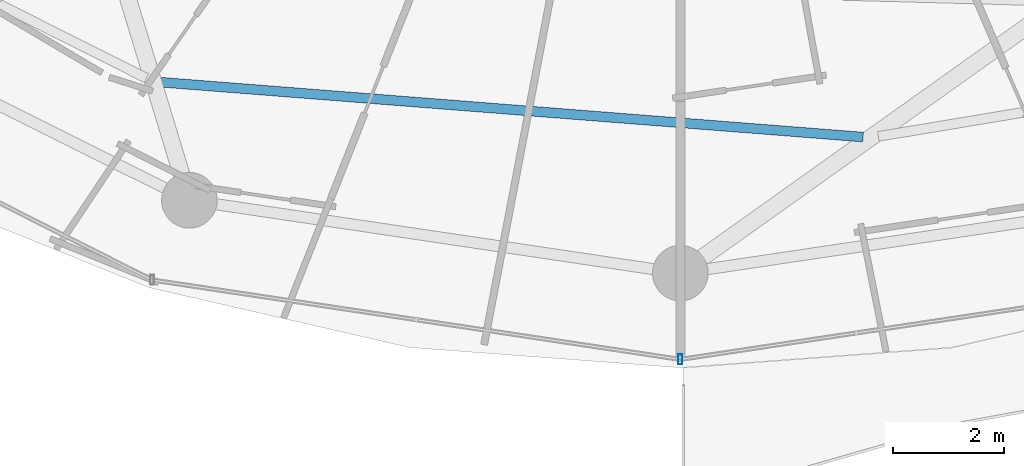
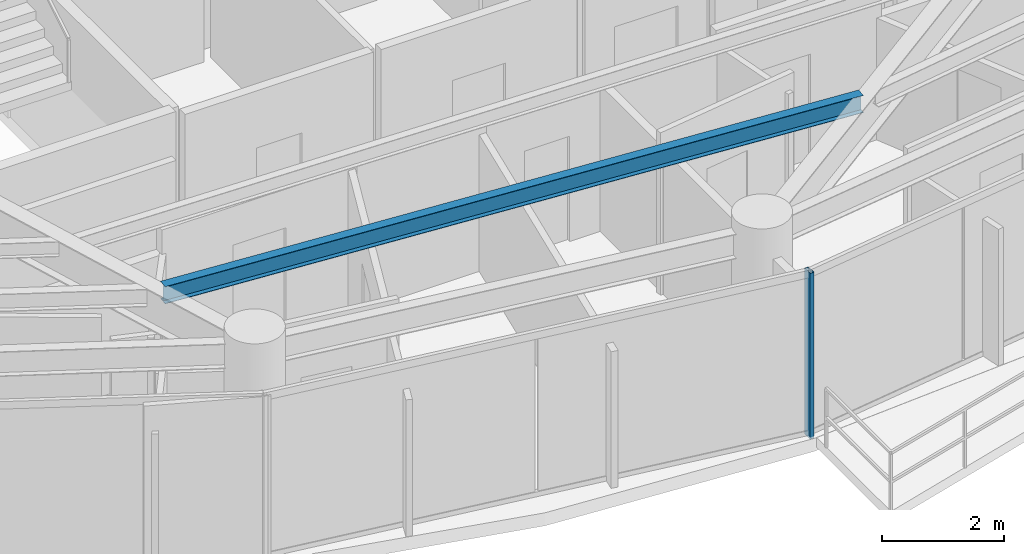
# One storey, part 6 of 31: 1 beam, 1 member, 1 element without a shape of its own.
"""IFC4 building model written with IfcOpenShell, lengths in metres."""

from ifc_helpers import new_model, si_unit, direction, frame, origin, origin_2d, place, context, subcontext, project, spatial, hollow_rectangle, i_section, extrude, material, material_profile, profile_set, type_object, element, aggregate, save


model = new_model("IFC4")

# Units and contexts
model_context = context("Model", 3, precision=1e-05, world=origin(), true_north=direction((0.0, 1.0)))
body_context = subcontext(model_context, "Body", "Model", "MODEL_VIEW")
ifc_project = project(units=[si_unit("LENGTHUNIT", "METRE"), si_unit("AREAUNIT", "SQUARE_METRE"), si_unit("VOLUMEUNIT", "CUBIC_METRE"), si_unit("PLANEANGLEUNIT", "RADIAN"), si_unit("MASSUNIT", "GRAM", prefix="KILO")], contexts=[model_context])

# Site, building, storey
site_placement = place(None, origin())
site = spatial("IfcSite", under=ifc_project, at=site_placement, CompositionType="ELEMENT")
building_placement = place(site_placement, origin())
building = spatial("IfcBuilding", under=site, at=building_placement, Name="Vorneva Point Tower", CompositionType="ELEMENT")
storey_placement = place(building_placement, frame((0.0, 0.0, 132.60009765625)))
storey = spatial("IfcBuildingStorey", under=building, at=storey_placement, Name="L35", CompositionType="ELEMENT", Elevation=132.60009765625)

# Beam
ifc_material_1 = material(Name="Steel S355", Category="steel")
ifc_material_profile_1 = material_profile(ifc_material_1, i_section(OverallWidth=0.174072265625, OverallDepth=0.345947265625, WebThickness=0.006103515625, FlangeThickness=0.009033203125, at=origin_2d()), Name="35B1")
ifc_profile_set_1 = profile_set([ifc_material_profile_1], Name="Steel S355")
beam_type = type_object("IfcBeamType", Name="BM-SEC-35B1", PredefinedType="BEAM", material=ifc_profile_set_1)
beam_placement = place(storey_placement, frame((28.668212890625, 12.22998046875, 3.06689453125), z_axis=(0.996963101117, -0.077875381295, 0.0), x_axis=(0.077875381295, 0.996963101117, 0.0)))
element("IfcBeam", 1, at=beam_placement, inside=storey, type_object=beam_type, Name="L35 Secondary Floor Beam 1.12", PredefinedType="BEAM", context=body_context, shape_type="SweptSolid", body=[
    extrude(i_section(OverallWidth=0.174072265625, OverallDepth=0.345947265625, WebThickness=0.006103515625, FlangeThickness=0.009033203125, at=origin_2d()), origin(), (0.0, 0.0, 1.0), 12.65283203125),
])

# Curtain wall, member
ifc_material_2 = material(Name="Pale anodised aluminium", Category="aluminium")
curtain_wall_type = type_object("IfcCurtainWallType", Name="CW-RES-SYS", PredefinedType="NOTDEFINED", material=ifc_material_2)
curtain_wall_placement = place(storey_placement, origin())
curtain_wall = element("IfcCurtainWall", 2, at=curtain_wall_placement, inside=storey, type_object=curtain_wall_type, Name="L35 Unitised Curtain Wall CW-L35-R04", PredefinedType="NOTDEFINED")
ifc_material_profile_2 = material_profile(ifc_material_2, hollow_rectangle(XDim=0.074951171875, YDim=0.179931640625, WallThickness=0.00390625, at=origin_2d()), Name="AL-MUL 180x75x4")
ifc_profile_set_2 = profile_set([ifc_material_profile_2], Name="Pale anodised aluminium")
member_type = type_object("IfcMemberType", Name="CW-MUL-180", PredefinedType="MULLION", material=ifc_profile_set_2)
member_placement = place(storey_placement, frame((38.0, 7.25, -0.0400390625), z_axis=(0.0, 0.0, 1.0), x_axis=(1.0, 0.0, 0.0)))
member = element("IfcMember", 3, at=member_placement, type_object=member_type, Name="CW-L35-R04 Mullion 03", PredefinedType="MULLION", context=body_context, shape_type="SweptSolid", body=[
    extrude(hollow_rectangle(XDim=0.074951171875, YDim=0.179931640625, WallThickness=0.00390625, at=origin_2d()), origin(), (0.0, 0.0, 1.0), 3.31005859375),
])
aggregate(curtain_wall, [member])

save(model, "model.ifc")
